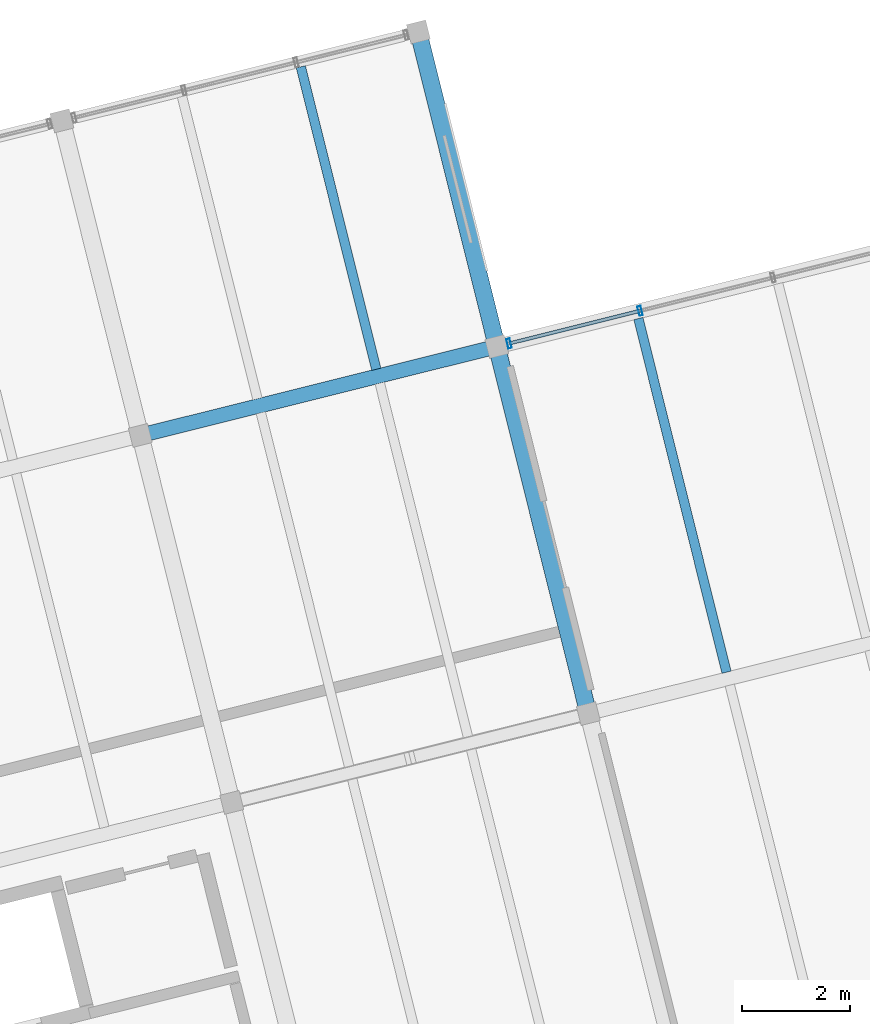
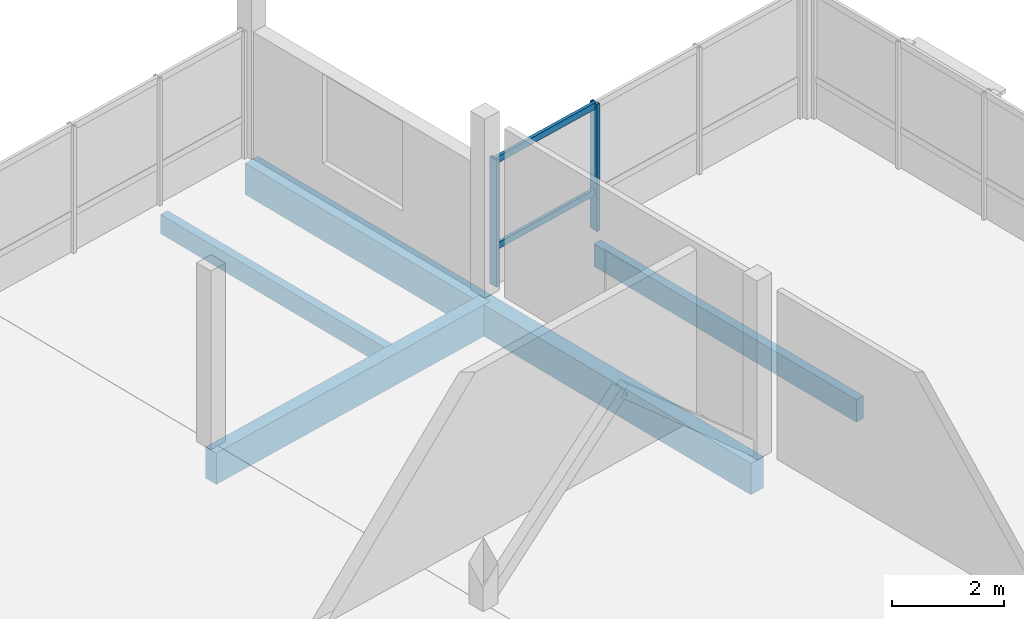
# One storey, part 18 of 26: 5 beams, 4 members, 1 element without a shape of its own.
"""IFC4 building model written with IfcOpenShell, lengths in metres."""

import ifcopenshell
import ifcopenshell.guid

model = None  # the IFC model being written
_history = None  # IfcOwnerHistory: only IFC2X3 demands one
_inside = {}  # id of a spatial element -> (the spatial element, [elements in it])
_under = {}  # id of a project, library or spatial element -> (it, [spatial elements below it])
_declared = {}  # id of a project -> (the project, [libraries it declares])
_typed = {}  # id of a type object -> (the type object, [elements of that type])
_made_of = {}  # id of a material, layer set ... -> (it, [elements and type objects made of it])


def new_model(schema):
    """Start an empty IFC model of exactly this schema.

    Asked for "IFC4X3", IfcOpenShell would pick the latest addendum, in which some entities
    have other attributes; the version numbers below select the first issue.
    IFC2X3 requires an IfcOwnerHistory on every rooted entity: one is made here for all.
    """
    global model, _history
    if schema == "IFC4X3":
        model = ifcopenshell.file(schema_version=(4, 3, 0, 0))
    else:
        model = ifcopenshell.file(schema=schema)
    _inside.clear()
    _under.clear()
    _declared.clear()
    _typed.clear()
    _made_of.clear()
    _history = None
    if model.schema == "IFC2X3":
        org = make("IfcOrganization", Name="unknown")
        user = make(
            "IfcPersonAndOrganization",
            ThePerson=make("IfcPerson", FamilyName="unknown"),
            TheOrganization=org,
        )
        app = make(
            "IfcApplication",
            ApplicationDeveloper=org,
            Version="unknown",
            ApplicationFullName="unknown",
            ApplicationIdentifier="unknown",
        )
        _history = make(
            "IfcOwnerHistory",
            OwningUser=user,
            OwningApplication=app,
            ChangeAction="ADDED",
            CreationDate=0,
        )
    return model


def make(cls, **values):
    """One entity of the class cls with the attributes given. An attribute that is None is left unset."""
    return model.create_entity(
        cls, **{name: value for name, value in values.items() if value is not None}
    )


def rooted(cls, **values):
    """An entity with a GlobalId (a new one), such as an element, a storey or a relation."""
    return make(cls, GlobalId=ifcopenshell.guid.new(), OwnerHistory=_history, **values)


def si_unit(unit_type, name, prefix=None):
    """IfcSIUnit, for example si_unit("LENGTHUNIT", "METRE", prefix="MILLI")."""
    return make("IfcSIUnit", UnitType=unit_type, Prefix=prefix, Name=name)


def assignment(units):
    """IfcUnitAssignment: the units of a project."""
    return None if units is None else make("IfcUnitAssignment", Units=units)


def point(xyz):
    """IfcCartesianPoint."""
    return None if xyz is None else make("IfcCartesianPoint", Coordinates=xyz)


def direction(xyz):
    """IfcDirection."""
    return None if xyz is None else make("IfcDirection", DirectionRatios=xyz)


def frame(location, z_axis=None, x_axis=None):
    """IfcAxis2Placement3D, a coordinate frame: its origin and axes. An axis left out is left unset."""
    return make(
        "IfcAxis2Placement3D",
        Location=point(location),
        Axis=direction(z_axis),
        RefDirection=direction(x_axis),
    )


def frame_2d(location, x_axis=None):
    """IfcAxis2Placement2D, a coordinate frame in the plane: its origin and x axis."""
    return make(
        "IfcAxis2Placement2D", Location=point(location), RefDirection=direction(x_axis)
    )


def origin():
    """The frame at (0, 0, 0) with its axes left unset."""
    return frame((0.0, 0.0, 0.0))


def origin_2d():
    """The frame at (0, 0) in the plane with its x axis left unset."""
    return frame_2d((0.0, 0.0))


def place(relative_to, where):
    """IfcLocalPlacement: puts the frame where relative to a parent placement (None: the world)."""
    return make(
        "IfcLocalPlacement", PlacementRelTo=relative_to, RelativePlacement=where
    )


def context(
    kind, dimensions, precision=None, world=None, true_north=None, identifier=None
):
    """IfcGeometricRepresentationContext, for example the 3D "Model" context."""
    return make(
        "IfcGeometricRepresentationContext",
        ContextIdentifier=identifier,
        ContextType=kind,
        CoordinateSpaceDimension=dimensions,
        Precision=precision,
        WorldCoordinateSystem=world,
        TrueNorth=true_north,
    )


def subcontext(parent, identifier, kind, view, scale=None):
    """IfcGeometricRepresentationSubContext, for example "Body" below "Model"."""
    return make(
        "IfcGeometricRepresentationSubContext",
        ContextIdentifier=identifier,
        ContextType=kind,
        ParentContext=parent,
        TargetScale=scale,
        TargetView=view,
    )


def project(units=None, contexts=None):
    """IfcProject with its units and contexts."""
    return rooted(
        "IfcProject",
        Name="project",
        RepresentationContexts=contexts,
        UnitsInContext=assignment(units),
    )


def spatial(cls, under=None, at=None, **own):
    """A site, building, storey or space (cls), placed at a placement, below another one or the project."""
    s = rooted(cls, ObjectPlacement=at, **own)
    if under is not None:
        _under.setdefault(under.id(), (under, []))[1].append(s)
    return s


def profile(cls, at=None, kind="AREA", **sizes):
    """A parametric profile (cls). Its sizes go by their IFC names, for example OverallWidth=200.0."""
    return make(cls, ProfileType=kind, Position=at, **sizes)


def rectangle(**sizes):
    """IfcRectangleProfileDef."""
    return profile("IfcRectangleProfileDef", **sizes)


def hollow_rectangle(**sizes):
    """IfcRectangleHollowProfileDef."""
    return profile("IfcRectangleHollowProfileDef", **sizes)


def extrude(swept, where, along, depth):
    """IfcExtrudedAreaSolid: the profile swept, set in the frame where, extruded along a direction by depth."""
    return make(
        "IfcExtrudedAreaSolid",
        SweptArea=swept,
        Position=where,
        ExtrudedDirection=direction(along),
        Depth=depth,
    )


def shape(context_of_items, identifier, shape_type, items):
    """IfcShapeRepresentation: the items that make up one representation, for example the "Body"."""
    return make(
        "IfcShapeRepresentation",
        ContextOfItems=context_of_items,
        RepresentationIdentifier=identifier,
        RepresentationType=shape_type,
        Items=items,
    )


def material(Name=None, Category=None):
    """IfcMaterial."""
    return make("IfcMaterial", Name=Name, Category=Category)


def layer(
    of_material, thickness, ventilated=None, Name=None, Category=None, Priority=None
):
    """IfcMaterialLayer: one layer of a wall or slab, of a material (None: an air gap)."""
    return make(
        "IfcMaterialLayer",
        Material=of_material,
        LayerThickness=thickness,
        IsVentilated=ventilated,
        Name=Name,
        Category=Category,
        Priority=Priority,
    )


def layer_set(layers, Name=None):
    """IfcMaterialLayerSet."""
    return make("IfcMaterialLayerSet", MaterialLayers=layers, LayerSetName=Name)


def material_profile(
    of_material, cross_section, Name=None, Category=None, Priority=None
):
    """IfcMaterialProfile: a cross section and its material."""
    return make(
        "IfcMaterialProfile",
        Name=Name,
        Material=of_material,
        Profile=cross_section,
        Priority=Priority,
        Category=Category,
    )


def profile_set(profiles, Name=None, composite=None):
    """IfcMaterialProfileSet."""
    return make(
        "IfcMaterialProfileSet",
        Name=Name,
        MaterialProfiles=profiles,
        CompositeProfile=composite,
    )


def made_of(thing, what):
    """Note that an element or type object is made of a material, layer set ...; save() writes the relation."""
    if what is not None:
        _made_of.setdefault(what.id(), (what, []))[1].append(thing)
    return thing


def type_object(cls, material=None, **own):
    """A type object (cls), such as IfcWallType, which elements share."""
    return made_of(rooted(cls, **own), material)


def element(
    cls,
    number,
    at=None,
    inside=None,
    cuts=None,
    type_object=None,
    material=None,
    context=None,
    identifier="Body",
    shape_type=None,
    held_by="IfcProductDefinitionShape",
    body=None,
    shapes=None,
    **own,
):
    """One element of the class cls, such as IfcWall. Its Tag is "e" and its number.

    at: its placement. inside: the storey or other place that contains it. cuts: it is an
    opening in that element (IfcRelVoidsElement). A single representation is given by context,
    identifier, shape_type and body (its items); several are given by shapes. held_by: the class
    of the entity that holds the representations. save() writes the other relations.
    """
    e = rooted(cls, Tag="e%d" % number, ObjectPlacement=at, **own)
    if body is not None:
        shapes = [shape(context, identifier, shape_type, body)]
    if shapes is not None:
        e.Representation = make(held_by, Representations=shapes)
    if inside is not None:
        _inside.setdefault(inside.id(), (inside, []))[1].append(e)
    if cuts is not None:
        rooted(
            "IfcRelVoidsElement", RelatingBuildingElement=cuts, RelatedOpeningElement=e
        )
    if type_object is not None:
        _typed.setdefault(type_object.id(), (type_object, []))[1].append(e)
    return made_of(e, material)


def aggregate(whole, parts):
    """IfcRelAggregates: a whole, such as a stair, and the parts it consists of."""
    return rooted("IfcRelAggregates", RelatingObject=whole, RelatedObjects=parts)


def save(model, path):
    """Write the relations noted so far, then the file.

    IfcRelAggregates (storeys below a building ...), IfcRelContainedInSpatialStructure (elements
    in a storey), IfcRelDefinesByType, IfcRelAssociatesMaterial and IfcRelDeclares: one each for
    every whole, place, type object, material and project.
    """
    for whole, parts in _under.values():
        aggregate(whole, parts)
    for where, things in _inside.values():
        rooted(
            "IfcRelContainedInSpatialStructure",
            RelatedElements=things,
            RelatingStructure=where,
        )
    for kind, things in _typed.values():
        rooted("IfcRelDefinesByType", RelatedObjects=things, RelatingType=kind)
    for what, things in _made_of.values():
        rooted("IfcRelAssociatesMaterial", RelatedObjects=things, RelatingMaterial=what)
    for by, libraries in _declared.values():
        rooted("IfcRelDeclares", RelatingContext=by, RelatedDefinitions=libraries)
    model.write(path)


model = new_model("IFC4")

# Units and contexts
model_context = context("Model", 3, precision=1e-05, world=origin(), true_north=direction((0.0, 1.0)))
body_context = subcontext(model_context, "Body", "Model", "MODEL_VIEW")
ifc_project = project(units=[si_unit("LENGTHUNIT", "METRE"), si_unit("AREAUNIT", "SQUARE_METRE"), si_unit("VOLUMEUNIT", "CUBIC_METRE"), si_unit("PLANEANGLEUNIT", "RADIAN"), si_unit("MASSUNIT", "GRAM", prefix="KILO")], contexts=[model_context])

# Site, building, storey
site_placement = place(None, origin())
site = spatial("IfcSite", under=ifc_project, at=site_placement, CompositionType="ELEMENT")
building_placement = place(site_placement, origin())
building = spatial("IfcBuilding", under=site, at=building_placement, Name="Meriwether Solvik Hall", CompositionType="ELEMENT")
storey_placement = place(building_placement, frame((0.0, 0.0, 41.699951171875)))
storey = spatial("IfcBuildingStorey", under=building, at=storey_placement, Name="L10", CompositionType="ELEMENT", Elevation=41.699951171875)

# Beams
ifc_material_1 = material(Name="Glulam Douglas-Fir 24F-V8 GL28h", Category="wood")
ifc_material_profile_1 = material_profile(ifc_material_1, rectangle(XDim=0.27294921875, YDim=0.68505859375, at=origin_2d()), Name="GLB-273X685")
ifc_profile_set_1 = profile_set([ifc_material_profile_1], Name="Glulam Douglas-Fir 24F-V8 GL28h")
beam_type_1 = type_object("IfcBeamType", Name="BM-GL-273X685", PredefinedType="BEAM", material=ifc_profile_set_1)
beam_1_placement = place(storey_placement, frame((90.158935546875, 75.432373046875, -0.5224609375), z_axis=(0.970296478685, 0.241918877831, 0.0), x_axis=(-0.241918877831, 0.970296478685, 0.0)))
element("IfcBeam", 1, at=beam_1_placement, inside=storey, type_object=beam_type_1, Name="Tower Girder TE:T5-T6 (L10)", PredefinedType="BEAM", context=body_context, shape_type="SweptSolid", body=[
    extrude(rectangle(XDim=0.27294921875, YDim=0.68505859375, at=origin_2d()), origin(), (0.0, 0.0, 1.0), 6.7998046875),
])
ifc_material_2 = material(Name="Glulam Douglas-Fir 24F-V8 GL28h", Category="wood")
ifc_material_profile_2 = material_profile(ifc_material_2, rectangle(XDim=0.31494140625, YDim=0.68505859375, at=origin_2d()), Name="GLB-315X685")
ifc_profile_set_2 = profile_set([ifc_material_profile_2], Name="Glulam Douglas-Fir 24F-V8 GL28h")
beam_type_2 = type_object("IfcBeamType", Name="BM-GL-315X685", PredefinedType="BEAM", material=ifc_profile_set_2)
beam_2_placement = place(storey_placement, frame((98.4501953125, 70.285400390625, -0.5224609375), z_axis=(-0.241911879182, 0.970298223594, 0.0), x_axis=(-0.970298223594, -0.241911879182, 0.0)))
element("IfcBeam", 2, at=beam_2_placement, inside=storey, type_object=beam_type_2, Name="Tower Girder T6:TD-TE (L10)", PredefinedType="BEAM", context=body_context, shape_type="SweptSolid", body=[
    extrude(rectangle(XDim=0.31494140625, YDim=0.68505859375, at=origin_2d()), origin(), (0.0, 0.0, 1.0), 7.0),
])
beam_3_placement = place(storey_placement, frame((96.7568359375, 77.077392578125, -0.5224609375), z_axis=(-0.241903677572, 0.970300268359, 0.0), x_axis=(-0.970300268359, -0.241903677572, 0.0)))
element("IfcBeam", 3, at=beam_3_placement, inside=storey, type_object=beam_type_2, Name="Tower Girder T6:TE-TF (L10)", PredefinedType="BEAM", context=body_context, shape_type="SweptSolid", body=[
    extrude(rectangle(XDim=0.31494140625, YDim=0.68505859375, at=origin_2d()), origin(), (0.0, 0.0, 1.0), 6.0),
])

# Curtain wall, members
ifc_material_3 = material(Name="Thermally Broken Anodised Aluminium 6063-T6 and Low-E Glass", Category="aluminium")
ifc_layer = layer(ifc_material_3, 0.179931640625)
ifc_layer_set = layer_set([ifc_layer], Name="Thermally Broken Anodised Aluminium 6063-T6 and Low-E Glass")
curtain_wall_type = type_object("IfcCurtainWallType", Name="CW-UNIT-E", PredefinedType="USERDEFINED", material=ifc_layer_set)
curtain_wall_placement = place(storey_placement, origin())
curtain_wall = element("IfcCurtainWall", 4, at=curtain_wall_placement, inside=storey, type_object=curtain_wall_type, Name="Curtain Wall E4_B0 (L10)", ObjectType="UNITISED CURTAIN WALL", PredefinedType="USERDEFINED")
ifc_material_4 = material(Name="Anodised Aluminium 6063-T6", Category="aluminium")
ifc_material_profile_3 = material_profile(ifc_material_4, hollow_rectangle(XDim=0.06494140625, YDim=0.179931640625, WallThickness=0.00439453125, at=origin_2d()), Name="CWM-65X180")
ifc_profile_set_3 = profile_set([ifc_material_profile_3], Name="Anodised Aluminium 6063-T6")
member_type_1 = type_object("IfcMemberType", Name="CW-MUL-65X180", PredefinedType="MULLION", material=ifc_profile_set_3)
member_1_placement = place(storey_placement, frame((96.982421875, 77.1337890625, 0.0), z_axis=(0.0, 0.0, 1.0), x_axis=(0.970295706376, 0.241921975414, 0.0)))
member_1 = element("IfcMember", 5, at=member_1_placement, type_object=member_type_1, Name="Curtain Wall Mullion 1", PredefinedType="MULLION", context=body_context, shape_type="SweptSolid", body=[
    extrude(hollow_rectangle(XDim=0.06494140625, YDim=0.179931640625, WallThickness=0.00439453125, at=origin_2d()), origin(), (0.0, 0.0, 1.0), 2.77001953125),
])
member_2_placement = place(storey_placement, frame((99.4072265625, 77.73828125, 0.0), z_axis=(0.0, 0.0, 1.0), x_axis=(0.970295706376, 0.241921975414, 0.0)))
member_2 = element("IfcMember", 6, at=member_2_placement, type_object=member_type_1, Name="Curtain Wall Mullion 2", PredefinedType="MULLION", context=body_context, shape_type="SweptSolid", body=[
    extrude(hollow_rectangle(XDim=0.06494140625, YDim=0.179931640625, WallThickness=0.00439453125, at=origin_2d()), origin(), (0.0, 0.0, 1.0), 2.77001953125),
])
ifc_material_5 = material(Name="Anodised Aluminium 6063-T6", Category="aluminium")
ifc_material_profile_4 = material_profile(ifc_material_5, hollow_rectangle(XDim=0.06494140625, YDim=0.139892578125, WallThickness=0.00439453125, at=origin_2d()), Name="CWT-65X140")
ifc_profile_set_4 = profile_set([ifc_material_profile_4], Name="Anodised Aluminium 6063-T6")
member_type_2 = type_object("IfcMemberType", Name="CW-TRN-65X140", PredefinedType="USERDEFINED", material=ifc_profile_set_4)
member_3_placement = place(storey_placement, frame((96.982421875, 77.1337890625, 0.8310546875), z_axis=(0.970303195461, 0.241891936363, 0.0), x_axis=(-0.241891936363, 0.970303195461, 0.0)))
member_3 = element("IfcMember", 7, at=member_3_placement, type_object=member_type_2, Name="Curtain Wall Transom 1-sill", ObjectType="TRANSOM", PredefinedType="USERDEFINED", context=body_context, shape_type="SweptSolid", body=[
    extrude(hollow_rectangle(XDim=0.06494140625, YDim=0.139892578125, WallThickness=0.00439453125, at=origin_2d()), origin(), (0.0, 0.0, 1.0), 2.4990234375),
])
member_4_placement = place(storey_placement, frame((96.982421875, 77.1337890625, 2.7099609375), z_axis=(0.970303195461, 0.241891936363, 0.0), x_axis=(-0.241891936363, 0.970303195461, 0.0)))
member_4 = element("IfcMember", 8, at=member_4_placement, type_object=member_type_2, Name="Curtain Wall Transom 1-head", ObjectType="TRANSOM", PredefinedType="USERDEFINED", context=body_context, shape_type="SweptSolid", body=[
    extrude(hollow_rectangle(XDim=0.06494140625, YDim=0.139892578125, WallThickness=0.00439453125, at=origin_2d()), origin(), (0.0, 0.0, 1.0), 2.4990234375),
])
aggregate(curtain_wall, [member_1, member_2, member_3, member_4])

# Beams
ifc_material_6 = material(Name="Glulam Douglas-Fir 24F-V8 GL28h", Category="wood")
ifc_material_profile_5 = material_profile(ifc_material_6, rectangle(XDim=0.175048828125, YDim=0.419921875, at=origin_2d()), Name="GLJ-175X420")
ifc_profile_set_5 = profile_set([ifc_material_profile_5], Name="Glulam Douglas-Fir 24F-V8 GL28h")
beam_type_3 = type_object("IfcBeamType", Name="JST-GL-175X420", PredefinedType="JOIST", material=ifc_profile_set_5)
beam_4_placement = place(storey_placement, frame((94.525634765625, 76.65673828125, -0.389892578125), z_axis=(-0.241918158317, 0.970296658078, 0.0), x_axis=(-0.970296658078, -0.241918158317, 0.0)))
element("IfcBeam", 9, at=beam_4_placement, inside=storey, type_object=beam_type_3, Name="Glulam Floor Joist T5/TE-J2 (L10)", PredefinedType="JOIST", context=body_context, shape_type="SweptSolid", body=[
    extrude(rectangle(XDim=0.175048828125, YDim=0.419921875, at=origin_2d()), origin(), (0.0, 0.0, 1.0), 5.7685546875),
])
ifc_material_7 = material(Name="Glulam Douglas-Fir 24F-V8 GL28h", Category="wood")
ifc_material_profile_6 = material_profile(ifc_material_7, rectangle(XDim=0.175048828125, YDim=0.4951171875, at=origin_2d()), Name="GLJ-175X495")
ifc_profile_set_6 = profile_set([ifc_material_profile_6], Name="Glulam Douglas-Fir 24F-V8 GL28h")
beam_type_4 = type_object("IfcBeamType", Name="JST-GL-175X495", PredefinedType="JOIST", material=ifc_profile_set_6)
beam_5_placement = place(storey_placement, frame((101.008056640625, 71.0498046875, -0.427490234375), z_axis=(-0.241913907509, 0.970297717896, 0.0), x_axis=(-0.970297717896, -0.241913907509, 0.0)))
element("IfcBeam", 10, at=beam_5_placement, inside=storey, type_object=beam_type_4, Name="Glulam Floor Joist T6/TD-J1 (L10)", PredefinedType="JOIST", context=body_context, shape_type="SweptSolid", body=[
    extrude(rectangle(XDim=0.175048828125, YDim=0.4951171875, at=origin_2d()), origin(), (0.0, 0.0, 1.0), 6.74560546875),
])

save(model, "model.ifc")
